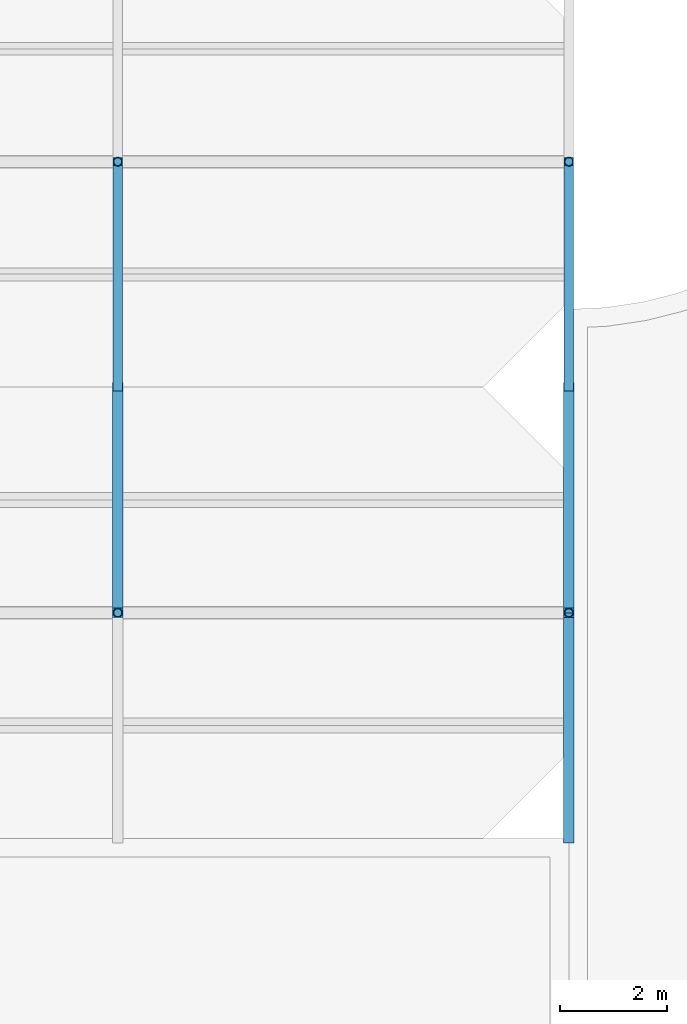
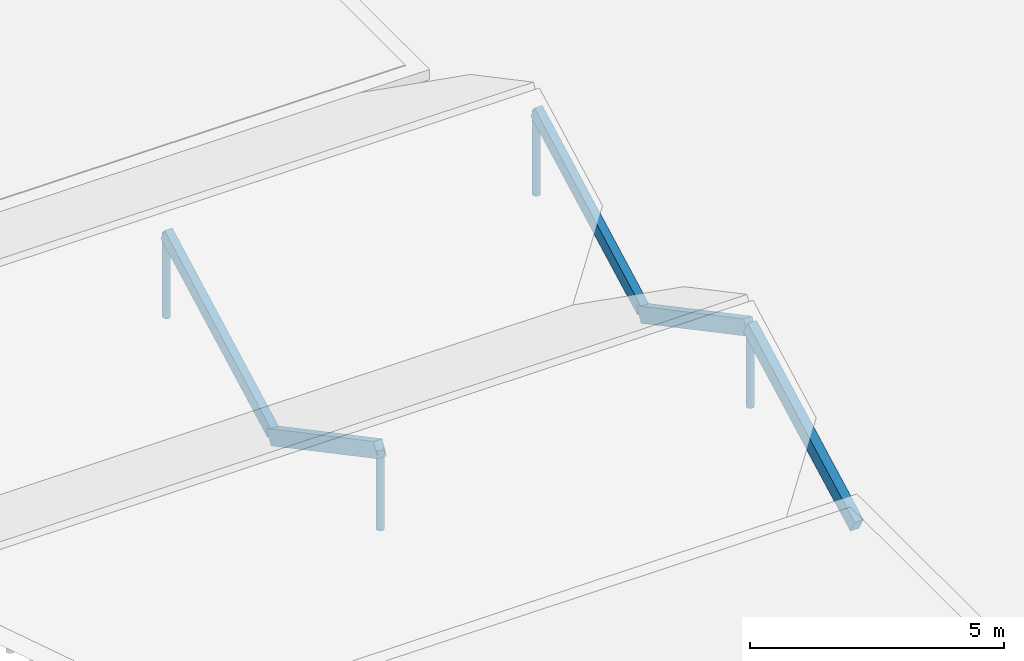
# One storey, part 44 of 82: 9 members.
"""IFC4 building model written with IfcOpenShell, lengths in metres."""

from ifc_helpers import new_model, si_unit, direction, frame, origin, origin_2d, place, context, subcontext, project, spatial, rectangle, hollow_circle, extrude, material, material_profile, profile_set, type_object, element, save


model = new_model("IFC4")

# Units and contexts
model_context = context("Model", 3, precision=1e-05, world=origin(), true_north=direction((0.0, 1.0)))
body_context = subcontext(model_context, "Body", "Model", "MODEL_VIEW")
ifc_project = project(units=[si_unit("LENGTHUNIT", "METRE"), si_unit("AREAUNIT", "SQUARE_METRE"), si_unit("VOLUMEUNIT", "CUBIC_METRE"), si_unit("PLANEANGLEUNIT", "RADIAN"), si_unit("MASSUNIT", "GRAM", prefix="KILO")], contexts=[model_context])

# Site, building, storey
site_placement = place(None, origin())
site = spatial("IfcSite", under=ifc_project, at=site_placement, CompositionType="ELEMENT")
building_placement = place(site_placement, origin())
building = spatial("IfcBuilding", under=site, at=building_placement, Name="Bramfleet General Hospital", CompositionType="ELEMENT")
storey_placement = place(building_placement, frame((0.0, 0.0, 34.199951171875)))
storey = spatial("IfcBuildingStorey", under=building, at=storey_placement, Name="Roof", CompositionType="ELEMENT", Elevation=34.199951171875)

# Members
ifc_material_1 = material(Name="Structural timber GL28h", Category="wood")
ifc_material_profile_1 = material_profile(ifc_material_1, rectangle(XDim=0.179931640625, YDim=0.320068359375, at=origin_2d()), Name="GL28h 320x180")
ifc_profile_set_1 = profile_set([ifc_material_profile_1], Name="Structural timber GL28h")
member_type_1 = type_object("IfcMemberType", Name="MEM-RF-GL320", PredefinedType="RAFTER", material=ifc_profile_set_1)
for number, where, z_axis, x_axis, name in (
    (1, (109.199951171875, 58.800048828125, -0.671875), (0.0, 0.882947536541, 0.469471668705), (-1.0, 0.0, 0.0), "Patient House PH-12 South Glulam Rafter 2"),
    (2, (117.60009765625, 58.800048828125, -0.671875), (0.0, 0.882947536541, 0.469471668705), (-1.0, 0.0, 0.0), "Patient House PH-12 South Glulam Rafter 3"),
):
    element("IfcMember", number, at=place(storey_placement, frame(where, z_axis=z_axis, x_axis=x_axis)), inside=storey, type_object=member_type_1, Name=name, PredefinedType="RAFTER", context=body_context, shape_type="SweptSolid", body=[
        extrude(rectangle(XDim=0.179931640625, YDim=0.320068359375, at=origin_2d()), origin(), (0.0, 0.0, 1.0), 4.7568359375),
    ])
ifc_material_profile_2 = material_profile(ifc_material_1, rectangle(XDim=0.199951171875, YDim=0.360107421875, at=origin_2d()), Name="GL28h 360x200")
ifc_profile_set_2 = profile_set([ifc_material_profile_2], Name="Structural timber GL28h")
member_type_2 = type_object("IfcMemberType", Name="MEM-RF-GL360", PredefinedType="RAFTER", material=ifc_profile_set_2)
for number, where, z_axis, x_axis, name in (
    (3, (109.199951171875, 54.60009765625, 1.476806640625), (0.0, 0.882947536541, -0.469471668705), (-1.0, 0.0, 0.0), "Patient House PH-11 North Glulam Rafter 2"),
    (4, (117.60009765625, 50.39990234375, -0.75634765625), (0.0, 0.882958848035, 0.469450394267), (-1.0, 0.0, 0.0), "Patient House PH-11 South Glulam Rafter 3"),
    (5, (117.60009765625, 54.60009765625, 1.476806640625), (0.0, 0.882947536541, -0.469471668705), (-1.0, 0.0, 0.0), "Patient House PH-11 North Glulam Rafter 3"),
):
    element("IfcMember", number, at=place(storey_placement, frame(where, z_axis=z_axis, x_axis=x_axis)), inside=storey, type_object=member_type_2, Name=name, PredefinedType="RAFTER", context=body_context, shape_type="SweptSolid", body=[
        extrude(rectangle(XDim=0.199951171875, YDim=0.360107421875, at=origin_2d()), origin(), (0.0, 0.0, 1.0), 4.7568359375),
    ])
ifc_material_2 = material(Name="Steel S355", Category="steel")
ifc_material_profile_3 = material_profile(ifc_material_2, hollow_circle(Radius=0.084228515625, WallThickness=0.008056640625, at=origin_2d()), Name="CHS 168.3x8.0")
ifc_profile_set_3 = profile_set([ifc_material_profile_3], Name="Steel S355")
member_type_3 = type_object("IfcMemberType", Name="MEM-SF-DG1", PredefinedType="STRUT", material=ifc_profile_set_3)
for number, where, z_axis, x_axis, name in (
    (6, (109.199951171875, 54.60009765625, -0.43994140625), (0.0, 0.0, 1.0), (1.0, 0.0, 0.0), "Patient House PH-11 Ridge Timber Post 2"),
    (7, (117.60009765625, 54.60009765625, -0.43994140625), (0.0, 0.0, 1.0), (1.0, 0.0, 0.0), "Patient House PH-11 Ridge Timber Post 3"),
):
    element("IfcMember", number, at=place(storey_placement, frame(where, z_axis=z_axis, x_axis=x_axis)), inside=storey, type_object=member_type_3, Name=name, PredefinedType="STRUT", context=body_context, shape_type="SweptSolid", body=[
        extrude(hollow_circle(Radius=0.084228515625, WallThickness=0.008056640625, at=origin_2d()), origin(), (0.0, 0.0, 1.0), 1.916748046875),
    ])
for number, where, z_axis, x_axis, name in (
    (8, (109.199951171875, 63.0, -0.43994140625), (0.0, 0.0, 1.0), (1.0, 0.0, 0.0), "Patient House PH-12 Ridge Timber Post 2"),
    (9, (117.60009765625, 63.0, -0.43994140625), (0.0, 0.0, 1.0), (1.0, 0.0, 0.0), "Patient House PH-12 Ridge Timber Post 3"),
):
    element("IfcMember", number, at=place(storey_placement, frame(where, z_axis=z_axis, x_axis=x_axis)), inside=storey, type_object=member_type_3, Name=name, PredefinedType="STRUT", context=body_context, shape_type="SweptSolid", body=[
        extrude(hollow_circle(Radius=0.084228515625, WallThickness=0.008056640625, at=origin_2d()), origin(), (0.0, 0.0, 1.0), 2.001220703125),
    ])

save(model, "model.ifc")
